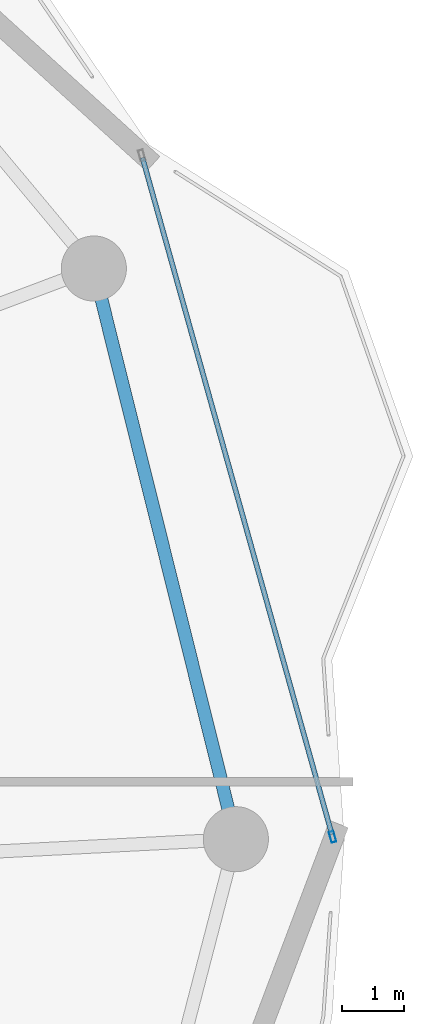
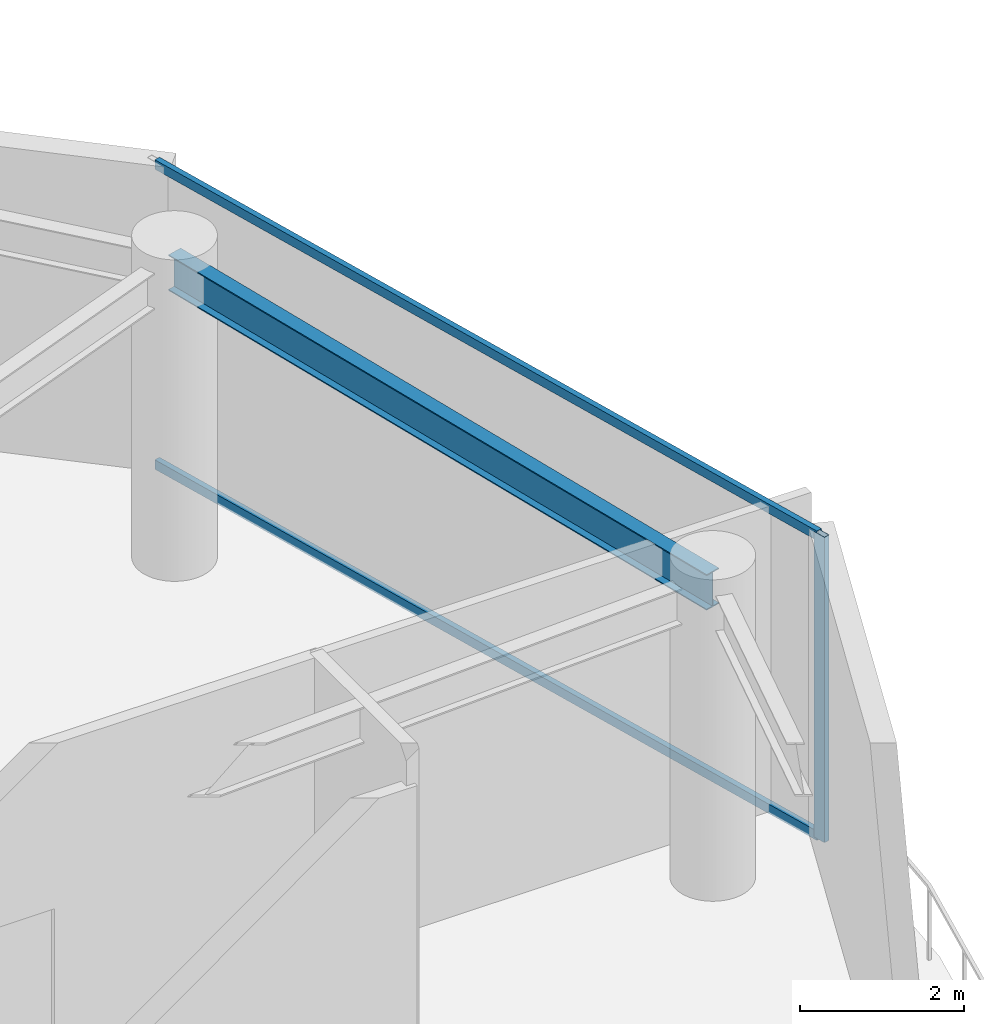
# One storey, part 15 of 28: 3 members, 1 beam, 1 element without a shape of its own.
"""IFC4 building model written with IfcOpenShell, lengths in metres."""

from ifc_helpers import new_model, si_unit, direction, frame, origin, origin_2d, place, context, subcontext, project, spatial, hollow_rectangle, i_section, extrude, material, layer, layer_set, material_profile, profile_set, type_object, element, aggregate, save


model = new_model("IFC4")

# Units and contexts
model_context = context("Model", 3, precision=1e-05, world=origin(), true_north=direction((0.0, 1.0)))
body_context = subcontext(model_context, "Body", "Model", "MODEL_VIEW")
ifc_project = project(units=[si_unit("LENGTHUNIT", "METRE"), si_unit("AREAUNIT", "SQUARE_METRE"), si_unit("VOLUMEUNIT", "CUBIC_METRE"), si_unit("PLANEANGLEUNIT", "RADIAN"), si_unit("MASSUNIT", "GRAM", prefix="KILO")], contexts=[model_context])

# Site, building, storey
site_placement = place(None, origin())
site = spatial("IfcSite", under=ifc_project, at=site_placement, CompositionType="ELEMENT")
building_placement = place(site_placement, origin())
building = spatial("IfcBuilding", under=site, at=building_placement, Name="Kazevale Care Tower and Concert Hall", CompositionType="ELEMENT")
storey_placement = place(building_placement, frame((0.0, 0.0, 190.800048828125)))
storey = spatial("IfcBuildingStorey", under=building, at=storey_placement, Name="L50", CompositionType="ELEMENT", Elevation=190.800048828125)

# Curtain wall, members
ifc_material_1 = material(Name="Aluminium 6063-T6 and Low-E Glass", Category="aluminium")
ifc_layer = layer(ifc_material_1, 0.179931640625)
ifc_layer_set = layer_set([ifc_layer], Name="Aluminium 6063-T6 and Low-E Glass")
curtain_wall_type = type_object("IfcCurtainWallType", Name="Waist & Upper Residential Curtain Wall CW-4", PredefinedType="NOTDEFINED", material=ifc_layer_set)
curtain_wall_placement = place(storey_placement, origin())
curtain_wall = element("IfcCurtainWall", 1, at=curtain_wall_placement, inside=storey, type_object=curtain_wall_type, Name="cw:L50:f18", PredefinedType="NOTDEFINED")
ifc_material_2 = material(Name="Aluminium 6063-T6", Category="aluminium")
ifc_material_profile_1 = material_profile(ifc_material_2, hollow_rectangle(XDim=0.080078125, YDim=0.179931640625, WallThickness=0.0048828125, at=origin_2d()), Name="ALU80x180x5")
ifc_profile_set_1 = profile_set([ifc_material_profile_1], Name="Aluminium 6063-T6")
member_type_1 = type_object("IfcMemberType", Name="CW-4 Mullion ALU80x180x5", PredefinedType="MULLION", material=ifc_profile_set_1)
member_1_placement = place(storey_placement, frame((76.609130859375, 38.03857421875, 0.0), z_axis=(0.0, 0.0, 1.0), x_axis=(0.962972156211, 0.269600864915, 0.0)))
member_1 = element("IfcMember", 2, at=member_1_placement, type_object=member_type_1, Name="CW-4 mullion 2", PredefinedType="MULLION", context=body_context, shape_type="SweptSolid", body=[
    extrude(hollow_rectangle(XDim=0.080078125, YDim=0.179931640625, WallThickness=0.0048828125, at=origin_2d()), origin(), (0.0, 0.0, 1.0), 4.56005859375),
])
ifc_material_profile_2 = material_profile(ifc_material_2, hollow_rectangle(XDim=0.080078125, YDim=0.139892578125, WallThickness=0.00390625, at=origin_2d()), Name="ALU80x140x4")
ifc_profile_set_2 = profile_set([ifc_material_profile_2], Name="Aluminium 6063-T6")
member_type_2 = type_object("IfcMemberType", Name="CW-4 Transom ALU80x140x4", PredefinedType="USERDEFINED", material=ifc_profile_set_2)
member_2_placement = place(storey_placement, frame((73.544677734375, 48.98486328125, 0.0400390625), z_axis=(0.269593149795, -0.96297431616, 0.0), x_axis=(0.96297431616, 0.269593149795, 0.0)))
member_2 = element("IfcMember", 3, at=member_2_placement, type_object=member_type_2, Name="CW-4 transom 1.1", ObjectType="TRANSOM", PredefinedType="USERDEFINED", context=body_context, shape_type="SweptSolid", body=[
    extrude(hollow_rectangle(XDim=0.080078125, YDim=0.139892578125, WallThickness=0.00390625, at=origin_2d()), origin(), (0.0, 0.0, 1.0), 11.3271484375),
])
member_3_placement = place(storey_placement, frame((73.544677734375, 48.98486328125, 4.52001953125), z_axis=(0.269593149795, -0.96297431616, 0.0), x_axis=(0.96297431616, 0.269593149795, 0.0)))
member_3 = element("IfcMember", 4, at=member_3_placement, type_object=member_type_2, Name="CW-4 transom 1.2", ObjectType="TRANSOM", PredefinedType="USERDEFINED", context=body_context, shape_type="SweptSolid", body=[
    extrude(hollow_rectangle(XDim=0.080078125, YDim=0.139892578125, WallThickness=0.00390625, at=origin_2d()), origin(), (0.0, 0.0, 1.0), 11.3271484375),
])
aggregate(curtain_wall, [member_1, member_2, member_3])

# Beam
ifc_material_3 = material(Name="Steel ASTM A572 Gr 50", Category="steel")
ifc_material_profile_3 = material_profile(ifc_material_3, i_section(OverallWidth=0.208984375, OverallDepth=0.532958984375, WebThickness=0.01025390625, FlangeThickness=0.015625, at=origin_2d()), Name="W530x92")
ifc_profile_set_3 = profile_set([ifc_material_profile_3], Name="Steel ASTM A572 Gr 50")
beam_type = type_object("IfcBeamType", Name="Upper Ring Beam W530x92", PredefinedType="BEAM", material=ifc_profile_set_3)
beam_placement = place(storey_placement, frame((75.050048828125, 38.0, 4.29345703125), z_axis=(-0.241547858543, 0.970388907621, 0.0), x_axis=(-0.970388907621, -0.241547858543, 0.0)))
element("IfcBeam", 5, at=beam_placement, inside=storey, type_object=beam_type, Name="beam:L50:ring:01", PredefinedType="BEAM", context=body_context, shape_type="SweptSolid", body=[
    extrude(i_section(OverallWidth=0.208984375, OverallDepth=0.532958984375, WebThickness=0.01025390625, FlangeThickness=0.015625, at=origin_2d()), origin(), (0.0, 0.0, 1.0), 9.480712890625),
])

save(model, "model.ifc")
